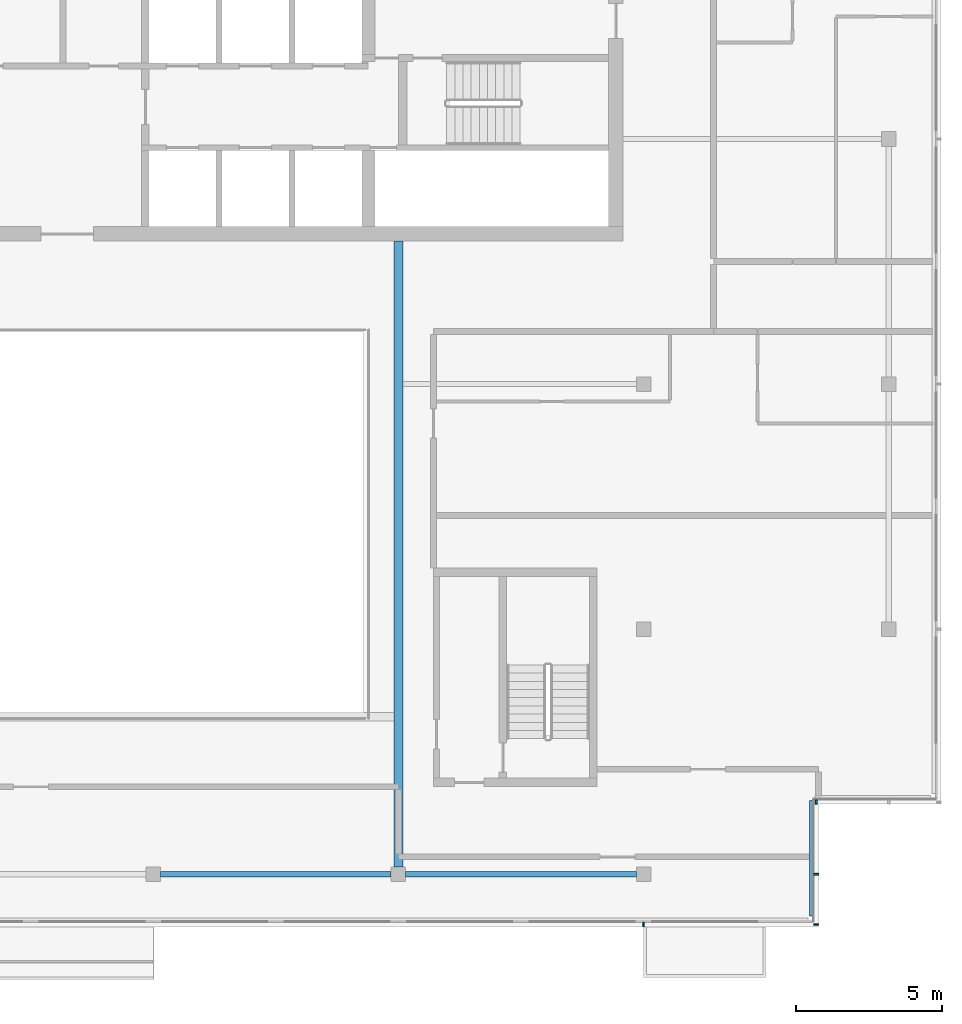
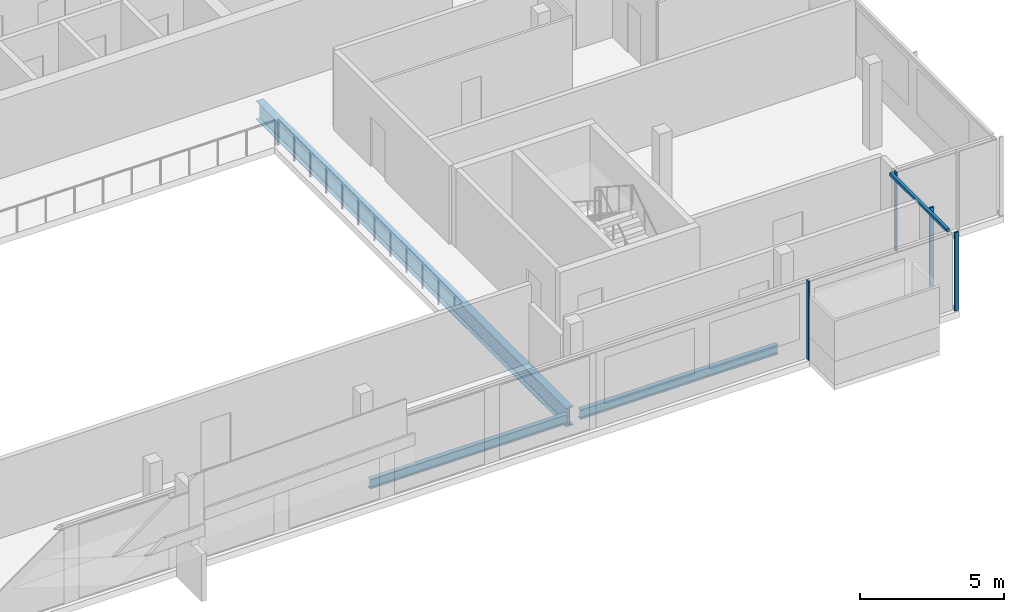
# One storey, part 5 of 22: 5 members, 3 beams, 3 elements without a shape of their own.
"""IFC4 building model written with IfcOpenShell, lengths in metres."""

from ifc_helpers import new_model, si_unit, direction, frame, origin, origin_2d, place, context, subcontext, project, spatial, rectangle, i_section, extrude, material, material_profile, profile_set, type_object, element, aggregate, save


model = new_model("IFC4")

# Units and contexts
model_context = context("Model", 3, precision=1e-05, world=origin(), true_north=direction((0.0, 1.0)))
body_context = subcontext(model_context, "Body", "Model", "MODEL_VIEW")
ifc_project = project(units=[si_unit("LENGTHUNIT", "METRE"), si_unit("AREAUNIT", "SQUARE_METRE"), si_unit("VOLUMEUNIT", "CUBIC_METRE"), si_unit("PLANEANGLEUNIT", "RADIAN"), si_unit("MASSUNIT", "GRAM", prefix="KILO")], contexts=[model_context])

# Site, building, storey
site_placement = place(None, origin())
site = spatial("IfcSite", under=ifc_project, at=site_placement, CompositionType="ELEMENT")
building_placement = place(site_placement, origin())
building = spatial("IfcBuilding", under=site, at=building_placement, Name="Saffron Gate Tower", CompositionType="ELEMENT")
storey_placement = place(building_placement, frame((0.0, 0.0, 295.949951171875)))
storey = spatial("IfcBuildingStorey", under=building, at=storey_placement, Name="L72", CompositionType="ELEMENT", Elevation=295.949951171875)

# Beams
ifc_material_1 = material(Name="Structural steel S355", Category="steel")
ifc_material_profile_1 = material_profile(ifc_material_1, i_section(OverallWidth=0.300048828125, OverallDepth=0.7900390625, WebThickness=0.014892578125, FlangeThickness=0.028076171875, FilletRadius=0.030029296875, at=origin_2d()))
ifc_profile_set_1 = profile_set([ifc_material_profile_1], Name="Structural steel S355")
beam_type_1 = type_object("IfcBeamType", Name="B18 HEA 800", PredefinedType="BEAM", material=ifc_profile_set_1)
beam_1_placement = place(storey_placement, frame((100.199951171875, 40.449951171875, -0.675048828125), z_axis=(0.0, 1.0, 0.0), x_axis=(-1.0, 0.0, 0.0)))
element("IfcBeam", 1, at=beam_1_placement, inside=storey, type_object=beam_type_1, Name="B18 ATRIUM GIRDER", PredefinedType="BEAM", context=body_context, shape_type="SweptSolid", body=[
    extrude(i_section(OverallWidth=0.300048828125, OverallDepth=0.7900390625, WebThickness=0.014892578125, FlangeThickness=0.028076171875, FilletRadius=0.030029296875, at=origin_2d()), origin(), (0.0, 0.0, 1.0), 21.449951171875),
])
ifc_material_profile_2 = material_profile(ifc_material_1, i_section(OverallWidth=0.179931640625, OverallDepth=0.39990234375, WebThickness=0.008544921875, FlangeThickness=0.013427734375, FilletRadius=0.02099609375, at=origin_2d()))
ifc_profile_set_2 = profile_set([ifc_material_profile_2], Name="Structural steel S355")
beam_type_2 = type_object("IfcBeamType", Name="B5 IPE 400", PredefinedType="SPANDREL", material=ifc_profile_set_2)
beam_2_placement = place(storey_placement, frame((92.050048828125, 40.199951171875, -0.47998046875), z_axis=(1.0, 0.0, 0.0), x_axis=(0.0, 1.0, 0.0)))
element("IfcBeam", 2, at=beam_2_placement, inside=storey, type_object=beam_type_2, Name="B5 SPANDREL BEAM", PredefinedType="SPANDREL", context=body_context, shape_type="SweptSolid", body=[
    extrude(i_section(OverallWidth=0.179931640625, OverallDepth=0.39990234375, WebThickness=0.008544921875, FlangeThickness=0.013427734375, FilletRadius=0.02099609375, at=origin_2d()), origin(), (0.0, 0.0, 1.0), 7.89990234375),
])
beam_3_placement = place(storey_placement, frame((100.449951171875, 40.199951171875, -0.47998046875), z_axis=(1.0, 0.0, 0.0), x_axis=(0.0, 1.0, 0.0)))
element("IfcBeam", 3, at=beam_3_placement, inside=storey, type_object=beam_type_2, Name="B5 SPANDREL BEAM", PredefinedType="SPANDREL", context=body_context, shape_type="SweptSolid", body=[
    extrude(i_section(OverallWidth=0.179931640625, OverallDepth=0.39990234375, WebThickness=0.008544921875, FlangeThickness=0.013427734375, FilletRadius=0.02099609375, at=origin_2d()), origin(), (0.0, 0.0, 1.0), 7.900146484375),
])

# Curtain wall, member
ifc_material_2 = material(Name="Aluminium, bronze anodised", Category="aluminium")
curtain_wall_type_1 = type_object("IfcCurtainWallType", Name="CWS1 curtain wall front facade", PredefinedType="NOTDEFINED", material=ifc_material_2)
curtain_wall_1_placement = place(storey_placement, origin())
curtain_wall_1 = element("IfcCurtainWall", 4, at=curtain_wall_1_placement, inside=storey, type_object=curtain_wall_type_1, Name="CWS1 run 1", PredefinedType="NOTDEFINED")
ifc_material_profile_3 = material_profile(ifc_material_2, rectangle(XDim=0.159912109375, YDim=0.06005859375, at=origin_2d()))
ifc_profile_set_3 = profile_set([ifc_material_profile_3], Name="Aluminium, bronze anodised")
member_type_1 = type_object("IfcMemberType", Name="CWS1 mullion 60x160", PredefinedType="MULLION", material=ifc_profile_set_3)
member_1_placement = place(storey_placement, frame((108.60009765625, 38.47998046875, 0.0), z_axis=(0.0, 0.0, 1.0), x_axis=(0.0, 1.0, 0.0)))
member_1 = element("IfcMember", 5, at=member_1_placement, type_object=member_type_1, Name="CWS1 mullion 7", PredefinedType="MULLION", context=body_context, shape_type="SweptSolid", body=[
    extrude(rectangle(XDim=0.159912109375, YDim=0.06005859375, at=origin_2d()), origin(), (0.0, 0.0, 1.0), 3.320068359375),
])
aggregate(curtain_wall_1, [member_1])

# Curtain wall, members
curtain_wall_type_2 = type_object("IfcCurtainWallType", Name="CWS4 curtain wall corner returns", PredefinedType="NOTDEFINED", material=ifc_material_2)
curtain_wall_2_placement = place(storey_placement, origin())
curtain_wall_2 = element("IfcCurtainWall", 6, at=curtain_wall_2_placement, inside=storey, type_object=curtain_wall_type_2, Name="CWS4 run 2", PredefinedType="NOTDEFINED")
ifc_material_profile_4 = material_profile(ifc_material_2, rectangle(XDim=0.1201171875, YDim=0.1201171875, at=origin_2d()))
ifc_profile_set_4 = profile_set([ifc_material_profile_4], Name="Aluminium, bronze anodised")
member_type_2 = type_object("IfcMemberType", Name="CWS4 head transom", PredefinedType="USERDEFINED", material=ifc_profile_set_4)
member_2_placement = place(storey_placement, frame((114.35205078125, 38.76806640625, 3.260009765625), z_axis=(0.0, 1.0, 0.0), x_axis=(-1.0, 0.0, 0.0)))
member_2 = element("IfcMember", 7, at=member_2_placement, type_object=member_type_2, Name="CWS4 head transom", ObjectType="TRANSOM", PredefinedType="USERDEFINED", context=body_context, shape_type="SweptSolid", body=[
    extrude(rectangle(XDim=0.1201171875, YDim=0.1201171875, at=origin_2d()), origin(), (0.0, 0.0, 1.0), 3.9599609375),
])
ifc_material_profile_5 = material_profile(ifc_material_2, rectangle(XDim=0.159912109375, YDim=0.06005859375, at=origin_2d()))
ifc_profile_set_5 = profile_set([ifc_material_profile_5], Name="Aluminium, bronze anodised")
member_type_3 = type_object("IfcMemberType", Name="CWS4 mullion 60x160", PredefinedType="MULLION", material=ifc_profile_set_5)
member_3_placement = place(storey_placement, frame((114.52001953125, 38.47998046875, 0.0), z_axis=(0.0, 0.0, 1.0), x_axis=(-1.0, 0.0, 0.0)))
member_3 = element("IfcMember", 8, at=member_3_placement, type_object=member_type_3, Name="CWS4 mullion 1", PredefinedType="MULLION", context=body_context, shape_type="SweptSolid", body=[
    extrude(rectangle(XDim=0.159912109375, YDim=0.06005859375, at=origin_2d()), origin(), (0.0, 0.0, 1.0), 3.320068359375),
])
member_4_placement = place(storey_placement, frame((114.52001953125, 40.199951171875, 0.0), z_axis=(0.0, 0.0, 1.0), x_axis=(-1.0, 0.0, 0.0)))
member_4 = element("IfcMember", 9, at=member_4_placement, type_object=member_type_3, Name="CWS4 mullion 2", PredefinedType="MULLION", context=body_context, shape_type="SweptSolid", body=[
    extrude(rectangle(XDim=0.159912109375, YDim=0.06005859375, at=origin_2d()), origin(), (0.0, 0.0, 1.0), 3.320068359375),
])
aggregate(curtain_wall_2, [member_3, member_4, member_2])

# Curtain wall, member
curtain_wall_3_placement = place(storey_placement, origin())
curtain_wall_3 = element("IfcCurtainWall", 10, at=curtain_wall_3_placement, inside=storey, type_object=curtain_wall_type_2, Name="CWS4 run 3", PredefinedType="NOTDEFINED")
member_5_placement = place(storey_placement, frame((114.52001953125, 42.679931640625, 0.0), z_axis=(0.0, 0.0, 1.0), x_axis=(0.0, 1.0, 0.0)))
member_5 = element("IfcMember", 11, at=member_5_placement, type_object=member_type_3, Name="CWS4 mullion 1", PredefinedType="MULLION", context=body_context, shape_type="SweptSolid", body=[
    extrude(rectangle(XDim=0.159912109375, YDim=0.06005859375, at=origin_2d()), origin(), (0.0, 0.0, 1.0), 3.320068359375),
])
aggregate(curtain_wall_3, [member_5])

save(model, "model.ifc")
